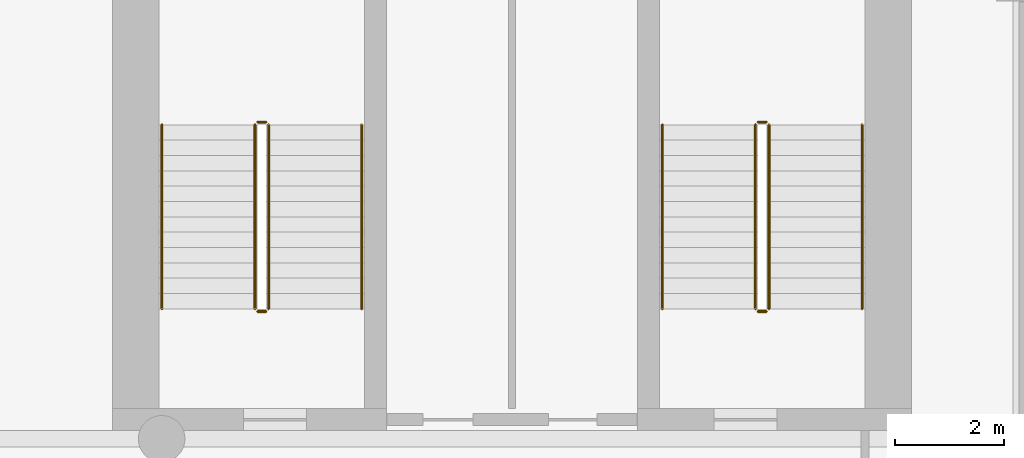
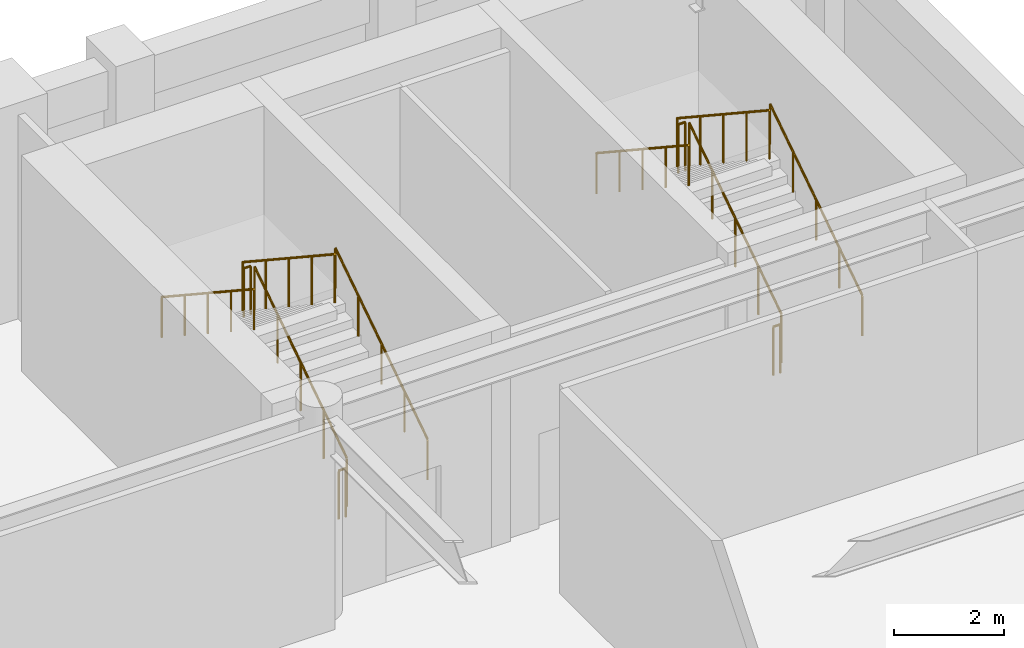
# One storey, part 10 of 10: 12 railings.
"""IFC4 building model written with IfcOpenShell, lengths in metres."""

from ifc_helpers import new_model, si_unit, direction, frame, origin, origin_2d, place, context, subcontext, project, spatial, circle, extrude, material, type_object, element, save


model = new_model("IFC4")

# Units and contexts
model_context = context("Model", 3, precision=1e-05, world=origin(), true_north=direction((0.0, 1.0)))
body_context = subcontext(model_context, "Body", "Model", "MODEL_VIEW")
ifc_project = project(units=[si_unit("LENGTHUNIT", "METRE"), si_unit("AREAUNIT", "SQUARE_METRE"), si_unit("VOLUMEUNIT", "CUBIC_METRE"), si_unit("PLANEANGLEUNIT", "RADIAN"), si_unit("MASSUNIT", "GRAM", prefix="KILO")], contexts=[model_context])

# Site, building, storey
site_placement = place(None, origin())
site = spatial("IfcSite", under=ifc_project, at=site_placement, CompositionType="ELEMENT")
building_placement = place(site_placement, origin())
building = spatial("IfcBuilding", under=site, at=building_placement, Name="Sulina Concourse Tower", CompositionType="ELEMENT")
storey_placement = place(building_placement, frame((0.0, 0.0, 165.800048828125)))
storey = spatial("IfcBuildingStorey", under=building, at=storey_placement, Name="L40", CompositionType="ELEMENT", Elevation=165.800048828125)

# Railings
ifc_material_1 = material(Name="Galvanised steel railing", Category="steel")
railing_type_1 = type_object("IfcRailingType", Name="Core Stair Steel Guardrail 1150mm", PredefinedType="GUARDRAIL", material=ifc_material_1)
railing_1_placement = place(storey_placement, frame((43.554931640625, 36.375, 0.1845703125)))
element("IfcRailing", 1, at=railing_1_placement, inside=storey, type_object=railing_type_1, Name="L40 ST-3 stair guard 1", PredefinedType="GUARDRAIL", context=body_context, shape_type="SweptSolid", body=[
    extrude(circle(Radius=0.02392578125, at=origin_2d()), frame((0.0, 0.0, 1.076171875), z_axis=(0.0, 0.834876476806, 0.550437342915), x_axis=(-1.0, 0.0, 0.0)), (0.0, 0.0, 1.0), 4.024658203125),
    extrude(circle(Radius=0.02099609375, at=origin_2d()), origin(), (0.0, 0.0, 1.0), 1.052001953125),
    extrude(circle(Radius=0.02099609375, at=origin_2d()), frame((0.0, 0.840087890625, 0.5537109375)), (0.0, 0.0, 1.0), 1.052001953125),
    extrude(circle(Radius=0.02099609375, at=origin_2d()), frame((0.0, 1.68017578125, 1.107666015625)), (0.0, 0.0, 1.0), 1.052001953125),
    extrude(circle(Radius=0.02099609375, at=origin_2d()), frame((0.0, 2.52001953125, 1.66162109375)), (0.0, 0.0, 1.0), 1.052001953125),
    extrude(circle(Radius=0.02099609375, at=origin_2d()), frame((0.0, 3.360107421875, 2.21533203125)), (0.0, 0.0, 1.0), 1.052001953125),
])
railing_2_placement = place(storey_placement, frame((43.5048828125, 39.784912109375, 2.39990234375)))
element("IfcRailing", 2, at=railing_2_placement, inside=storey, type_object=railing_type_1, Name="L40 ST-3 stair guard 2", PredefinedType="GUARDRAIL", context=body_context, shape_type="SweptSolid", body=[
    extrude(circle(Radius=0.02392578125, at=origin_2d()), frame((0.0, 0.0, 1.076171875), z_axis=(-1.0, 0.0, 0.0), x_axis=(0.0, -1.0, 0.0)), (0.0, 0.0, 1.0), 0.14990234375),
    extrude(circle(Radius=0.02099609375, at=origin_2d()), origin(), (0.0, 0.0, 1.0), 1.052001953125),
    extrude(circle(Radius=0.02099609375, at=origin_2d()), frame((-0.14990234375, 0.0, 0.0)), (0.0, 0.0, 1.0), 1.052001953125),
])
railing_3_placement = place(storey_placement, frame((43.304931640625, 39.735107421875, 2.58447265625)))
element("IfcRailing", 3, at=railing_3_placement, inside=storey, type_object=railing_type_1, Name="L40 ST-3 stair guard 3", PredefinedType="GUARDRAIL", context=body_context, shape_type="SweptSolid", body=[
    extrude(circle(Radius=0.02392578125, at=origin_2d()), frame((0.0, 0.0, 1.076171875), z_axis=(0.0, -0.834848600103, 0.550479622607), x_axis=(1.0, 0.0, 0.0)), (0.0, 0.0, 1.0), 4.02490234375),
    extrude(circle(Radius=0.02099609375, at=origin_2d()), origin(), (0.0, 0.0, 1.0), 1.052001953125),
    extrude(circle(Radius=0.02099609375, at=origin_2d()), frame((0.0, -0.840087890625, 0.553955078125)), (0.0, 0.0, 1.0), 1.052001953125),
    extrude(circle(Radius=0.02099609375, at=origin_2d()), frame((0.0, -1.68017578125, 1.10791015625)), (0.0, 0.0, 1.0), 1.052001953125),
    extrude(circle(Radius=0.02099609375, at=origin_2d()), frame((0.0, -2.52001953125, 1.66162109375)), (0.0, 0.0, 1.0), 1.052001953125),
    extrude(circle(Radius=0.02099609375, at=origin_2d()), frame((0.0, -3.360107421875, 2.215576171875)), (0.0, 0.0, 1.0), 1.052001953125),
])
railing_4_placement = place(storey_placement, frame((43.5048828125, 36.324951171875, 0.0)))
element("IfcRailing", 4, at=railing_4_placement, inside=storey, type_object=railing_type_1, Name="L40 ST-3 stair guard 4", PredefinedType="GUARDRAIL", context=body_context, shape_type="SweptSolid", body=[
    extrude(circle(Radius=0.02392578125, at=origin_2d()), frame((0.0, 0.0, 1.076171875), z_axis=(-1.0, 0.0, 0.0), x_axis=(0.0, -1.0, 0.0)), (0.0, 0.0, 1.0), 0.14990234375),
    extrude(circle(Radius=0.02099609375, at=origin_2d()), origin(), (0.0, 0.0, 1.0), 1.052001953125),
    extrude(circle(Radius=0.02099609375, at=origin_2d()), frame((-0.14990234375, 0.0, 0.0)), (0.0, 0.0, 1.0), 1.052001953125),
])
railing_5_placement = place(storey_placement, frame((52.695068359375, 36.375, 0.1845703125)))
element("IfcRailing", 5, at=railing_5_placement, inside=storey, type_object=railing_type_1, Name="L40 ST-4 stair guard 1", PredefinedType="GUARDRAIL", context=body_context, shape_type="SweptSolid", body=[
    extrude(circle(Radius=0.02392578125, at=origin_2d()), frame((0.0, 0.0, 1.076171875), z_axis=(0.0, 0.834876476806, 0.550437342915), x_axis=(-1.0, 0.0, 0.0)), (0.0, 0.0, 1.0), 4.024658203125),
    extrude(circle(Radius=0.02099609375, at=origin_2d()), origin(), (0.0, 0.0, 1.0), 1.052001953125),
    extrude(circle(Radius=0.02099609375, at=origin_2d()), frame((0.0, 0.840087890625, 0.5537109375)), (0.0, 0.0, 1.0), 1.052001953125),
    extrude(circle(Radius=0.02099609375, at=origin_2d()), frame((0.0, 1.68017578125, 1.107666015625)), (0.0, 0.0, 1.0), 1.052001953125),
    extrude(circle(Radius=0.02099609375, at=origin_2d()), frame((0.0, 2.52001953125, 1.66162109375)), (0.0, 0.0, 1.0), 1.052001953125),
    extrude(circle(Radius=0.02099609375, at=origin_2d()), frame((0.0, 3.360107421875, 2.21533203125)), (0.0, 0.0, 1.0), 1.052001953125),
])
railing_6_placement = place(storey_placement, frame((52.64501953125, 39.784912109375, 2.39990234375)))
element("IfcRailing", 6, at=railing_6_placement, inside=storey, type_object=railing_type_1, Name="L40 ST-4 stair guard 2", PredefinedType="GUARDRAIL", context=body_context, shape_type="SweptSolid", body=[
    extrude(circle(Radius=0.02392578125, at=origin_2d()), frame((0.0, 0.0, 1.076171875), z_axis=(-1.0, 0.0, 0.0), x_axis=(0.0, -1.0, 0.0)), (0.0, 0.0, 1.0), 0.14990234375),
    extrude(circle(Radius=0.02099609375, at=origin_2d()), origin(), (0.0, 0.0, 1.0), 1.052001953125),
    extrude(circle(Radius=0.02099609375, at=origin_2d()), frame((-0.14990234375, 0.0, 0.0)), (0.0, 0.0, 1.0), 1.052001953125),
])
railing_7_placement = place(storey_placement, frame((52.445068359375, 39.735107421875, 2.58447265625)))
element("IfcRailing", 7, at=railing_7_placement, inside=storey, type_object=railing_type_1, Name="L40 ST-4 stair guard 3", PredefinedType="GUARDRAIL", context=body_context, shape_type="SweptSolid", body=[
    extrude(circle(Radius=0.02392578125, at=origin_2d()), frame((0.0, 0.0, 1.076171875), z_axis=(0.0, -0.834848600103, 0.550479622607), x_axis=(1.0, 0.0, 0.0)), (0.0, 0.0, 1.0), 4.02490234375),
    extrude(circle(Radius=0.02099609375, at=origin_2d()), origin(), (0.0, 0.0, 1.0), 1.052001953125),
    extrude(circle(Radius=0.02099609375, at=origin_2d()), frame((0.0, -0.840087890625, 0.553955078125)), (0.0, 0.0, 1.0), 1.052001953125),
    extrude(circle(Radius=0.02099609375, at=origin_2d()), frame((0.0, -1.68017578125, 1.10791015625)), (0.0, 0.0, 1.0), 1.052001953125),
    extrude(circle(Radius=0.02099609375, at=origin_2d()), frame((0.0, -2.52001953125, 1.66162109375)), (0.0, 0.0, 1.0), 1.052001953125),
    extrude(circle(Radius=0.02099609375, at=origin_2d()), frame((0.0, -3.360107421875, 2.215576171875)), (0.0, 0.0, 1.0), 1.052001953125),
])
railing_8_placement = place(storey_placement, frame((52.64501953125, 36.324951171875, 0.0)))
element("IfcRailing", 8, at=railing_8_placement, inside=storey, type_object=railing_type_1, Name="L40 ST-4 stair guard 4", PredefinedType="GUARDRAIL", context=body_context, shape_type="SweptSolid", body=[
    extrude(circle(Radius=0.02392578125, at=origin_2d()), frame((0.0, 0.0, 1.076171875), z_axis=(-1.0, 0.0, 0.0), x_axis=(0.0, -1.0, 0.0)), (0.0, 0.0, 1.0), 0.14990234375),
    extrude(circle(Radius=0.02099609375, at=origin_2d()), origin(), (0.0, 0.0, 1.0), 1.052001953125),
    extrude(circle(Radius=0.02099609375, at=origin_2d()), frame((-0.14990234375, 0.0, 0.0)), (0.0, 0.0, 1.0), 1.052001953125),
])
ifc_material_2 = material(Name="Galvanised steel railing", Category="steel")
railing_type_2 = type_object("IfcRailingType", Name="Stair Wall Steel Handrail 920mm", PredefinedType="HANDRAIL", material=ifc_material_2)
railing_9_placement = place(storey_placement, frame((45.2548828125, 36.375, 0.1845703125)))
element("IfcRailing", 9, at=railing_9_placement, inside=storey, type_object=railing_type_2, Name="L40 ST-3 stair handrail 1", PredefinedType="HANDRAIL", context=body_context, shape_type="SweptSolid", body=[
    extrude(circle(Radius=0.02392578125, at=origin_2d()), frame((0.0, 0.0, 0.89599609375), z_axis=(0.0, 0.834876476806, 0.550437342915), x_axis=(-1.0, 0.0, 0.0)), (0.0, 0.0, 1.0), 4.024658203125),
    extrude(circle(Radius=0.02099609375, at=origin_2d()), origin(), (0.0, 0.0, 1.0), 0.871826171875),
    extrude(circle(Radius=0.02099609375, at=origin_2d()), frame((0.0, 0.840087890625, 0.5537109375)), (0.0, 0.0, 1.0), 0.871826171875),
    extrude(circle(Radius=0.02099609375, at=origin_2d()), frame((0.0, 1.68017578125, 1.107666015625)), (0.0, 0.0, 1.0), 0.871826171875),
    extrude(circle(Radius=0.02099609375, at=origin_2d()), frame((0.0, 2.52001953125, 1.66162109375)), (0.0, 0.0, 1.0), 0.871826171875),
    extrude(circle(Radius=0.02099609375, at=origin_2d()), frame((0.0, 3.360107421875, 2.21533203125)), (0.0, 0.0, 1.0), 0.871826171875),
])
railing_10_placement = place(storey_placement, frame((41.60498046875, 39.735107421875, 2.58447265625)))
element("IfcRailing", 10, at=railing_10_placement, inside=storey, type_object=railing_type_2, Name="L40 ST-3 stair handrail 2", PredefinedType="HANDRAIL", context=body_context, shape_type="SweptSolid", body=[
    extrude(circle(Radius=0.02392578125, at=origin_2d()), frame((0.0, 0.0, 0.89599609375), z_axis=(0.0, -0.834848600103, 0.550479622607), x_axis=(1.0, 0.0, 0.0)), (0.0, 0.0, 1.0), 4.02490234375),
    extrude(circle(Radius=0.02099609375, at=origin_2d()), origin(), (0.0, 0.0, 1.0), 0.871826171875),
    extrude(circle(Radius=0.02099609375, at=origin_2d()), frame((0.0, -0.840087890625, 0.553955078125)), (0.0, 0.0, 1.0), 0.871826171875),
    extrude(circle(Radius=0.02099609375, at=origin_2d()), frame((0.0, -1.68017578125, 1.10791015625)), (0.0, 0.0, 1.0), 0.871826171875),
    extrude(circle(Radius=0.02099609375, at=origin_2d()), frame((0.0, -2.52001953125, 1.66162109375)), (0.0, 0.0, 1.0), 0.871826171875),
    extrude(circle(Radius=0.02099609375, at=origin_2d()), frame((0.0, -3.360107421875, 2.215576171875)), (0.0, 0.0, 1.0), 0.871826171875),
])
railing_11_placement = place(storey_placement, frame((54.39501953125, 36.375, 0.1845703125)))
element("IfcRailing", 11, at=railing_11_placement, inside=storey, type_object=railing_type_2, Name="L40 ST-4 stair handrail 1", PredefinedType="HANDRAIL", context=body_context, shape_type="SweptSolid", body=[
    extrude(circle(Radius=0.02392578125, at=origin_2d()), frame((0.0, 0.0, 0.89599609375), z_axis=(0.0, 0.834876476806, 0.550437342915), x_axis=(-1.0, 0.0, 0.0)), (0.0, 0.0, 1.0), 4.024658203125),
    extrude(circle(Radius=0.02099609375, at=origin_2d()), origin(), (0.0, 0.0, 1.0), 0.871826171875),
    extrude(circle(Radius=0.02099609375, at=origin_2d()), frame((0.0, 0.840087890625, 0.5537109375)), (0.0, 0.0, 1.0), 0.871826171875),
    extrude(circle(Radius=0.02099609375, at=origin_2d()), frame((0.0, 1.68017578125, 1.107666015625)), (0.0, 0.0, 1.0), 0.871826171875),
    extrude(circle(Radius=0.02099609375, at=origin_2d()), frame((0.0, 2.52001953125, 1.66162109375)), (0.0, 0.0, 1.0), 0.871826171875),
    extrude(circle(Radius=0.02099609375, at=origin_2d()), frame((0.0, 3.360107421875, 2.21533203125)), (0.0, 0.0, 1.0), 0.871826171875),
])
railing_12_placement = place(storey_placement, frame((50.7451171875, 39.735107421875, 2.58447265625)))
element("IfcRailing", 12, at=railing_12_placement, inside=storey, type_object=railing_type_2, Name="L40 ST-4 stair handrail 2", PredefinedType="HANDRAIL", context=body_context, shape_type="SweptSolid", body=[
    extrude(circle(Radius=0.02392578125, at=origin_2d()), frame((0.0, 0.0, 0.89599609375), z_axis=(0.0, -0.834848600103, 0.550479622607), x_axis=(1.0, 0.0, 0.0)), (0.0, 0.0, 1.0), 4.02490234375),
    extrude(circle(Radius=0.02099609375, at=origin_2d()), origin(), (0.0, 0.0, 1.0), 0.871826171875),
    extrude(circle(Radius=0.02099609375, at=origin_2d()), frame((0.0, -0.840087890625, 0.553955078125)), (0.0, 0.0, 1.0), 0.871826171875),
    extrude(circle(Radius=0.02099609375, at=origin_2d()), frame((0.0, -1.68017578125, 1.10791015625)), (0.0, 0.0, 1.0), 0.871826171875),
    extrude(circle(Radius=0.02099609375, at=origin_2d()), frame((0.0, -2.52001953125, 1.66162109375)), (0.0, 0.0, 1.0), 0.871826171875),
    extrude(circle(Radius=0.02099609375, at=origin_2d()), frame((0.0, -3.360107421875, 2.215576171875)), (0.0, 0.0, 1.0), 0.871826171875),
])

save(model, "model.ifc")
